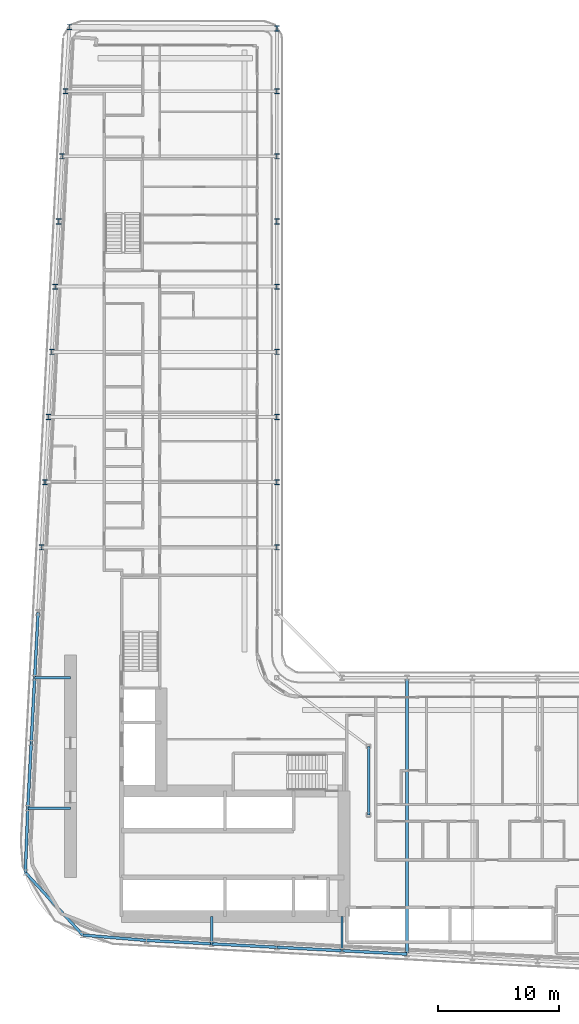
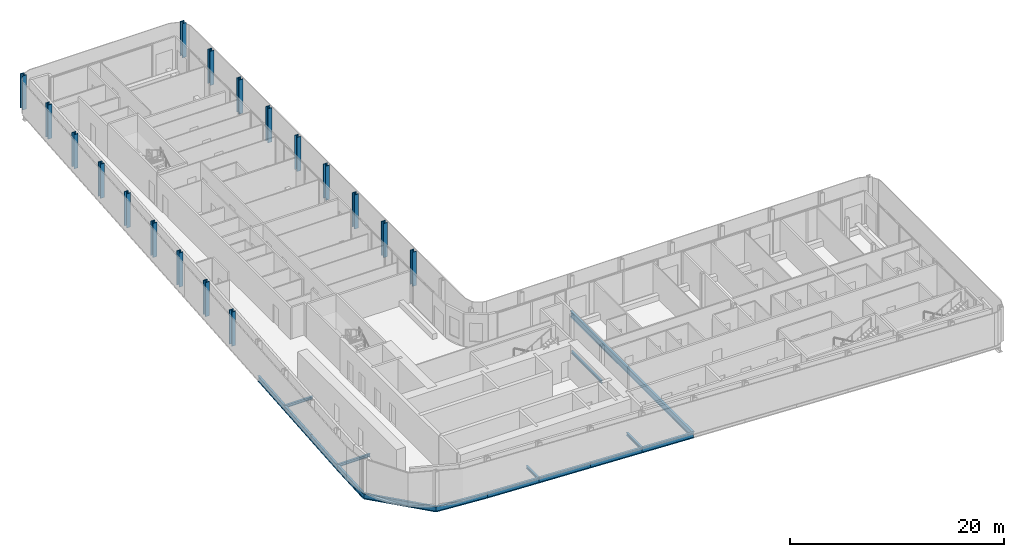
# One storey, part 3 of 25: 18 columns, 16 beams.
"""IFC4 building model written with IfcOpenShell, lengths in metres."""

from ifc_helpers import new_model, si_unit, direction, frame, origin, origin_2d, place, context, subcontext, project, spatial, i_section, extrude, material, material_profile, profile_set, type_object, element, save


model = new_model("IFC4")

# Units and contexts
model_context = context("Model", 3, precision=1e-05, world=origin(), true_north=direction((0.0, 1.0)))
body_context = subcontext(model_context, "Body", "Model", "MODEL_VIEW")
ifc_project = project(units=[si_unit("LENGTHUNIT", "METRE"), si_unit("AREAUNIT", "SQUARE_METRE"), si_unit("VOLUMEUNIT", "CUBIC_METRE"), si_unit("PLANEANGLEUNIT", "RADIAN"), si_unit("MASSUNIT", "GRAM", prefix="KILO")], contexts=[model_context])

# Site, building, storey
site_placement = place(None, origin())
site = spatial("IfcSite", under=ifc_project, at=site_placement, CompositionType="ELEMENT")
building_placement = place(site_placement, origin())
building = spatial("IfcBuilding", under=site, at=building_placement, Name="Kheshtan School and Residences Tower", CompositionType="ELEMENT")
storey_placement = place(building_placement, frame((0.0, 0.0, 34.39990234375)))
storey = spatial("IfcBuildingStorey", under=building, at=storey_placement, Name="L07", CompositionType="ELEMENT", Elevation=34.39990234375)

# Columns
ifc_material = material(Name="Steel ASTM A992 Grade 50", Category="steel")
ifc_material_profile_1 = material_profile(ifc_material, i_section(OverallWidth=0.424072265625, OverallDepth=0.47412109375, WebThickness=0.047607421875, FlangeThickness=0.0771484375, FilletRadius=0.01416015625, at=origin_2d()), Name="W360x634")
ifc_profile_set_1 = profile_set([ifc_material_profile_1], Name="Steel ASTM A992 Grade 50")
column_type = type_object("IfcColumnType", Name="Column C1 W360x634 ASTM A992 Grade 50", PredefinedType="COLUMN", material=ifc_profile_set_1)
for number, where, z_axis, x_axis, name in (
    (1, (28.10595703125, 56.39990234375, 0.0), (0.0, 0.0, 1.0), (1.0, 0.0, 0.0), "Column C080"),
    (2, (47.60009765625, 56.39990234375, 0.0), (0.0, 0.0, 1.0), (1.0, 0.0, 0.0), "Column C081"),
    (3, (28.389892578125, 61.800048828125, 0.0), (0.0, 0.0, 1.0), (1.0, 0.0, 0.0), "Column C082"),
    (4, (47.60009765625, 61.800048828125, 0.0), (0.0, 0.0, 1.0), (1.0, 0.0, 0.0), "Column C083"),
    (5, (28.674072265625, 67.199951171875, 0.0), (0.0, 0.0, 1.0), (1.0, 0.0, 0.0), "Column C084"),
    (6, (47.60009765625, 67.199951171875, 0.0), (0.0, 0.0, 1.0), (1.0, 0.0, 0.0), "Column C085"),
    (7, (28.9580078125, 72.60009765625, 0.0), (0.0, 0.0, 1.0), (1.0, 0.0, 0.0), "Column C086"),
    (8, (47.60009765625, 72.60009765625, 0.0), (0.0, 0.0, 1.0), (1.0, 0.0, 0.0), "Column C087"),
    (9, (29.242919921875, 78.0, 0.0), (0.0, 0.0, 1.0), (1.0, 0.0, 0.0), "Column C088"),
    (10, (47.60009765625, 78.0, 0.0), (0.0, 0.0, 1.0), (1.0, 0.0, 0.0), "Column C089"),
    (11, (29.527099609375, 83.39990234375, 0.0), (0.0, 0.0, 1.0), (1.0, 0.0, 0.0), "Column C090"),
    (12, (47.60009765625, 83.39990234375, 0.0), (0.0, 0.0, 1.0), (1.0, 0.0, 0.0), "Column C091"),
    (13, (29.81103515625, 88.800048828125, 0.0), (0.0, 0.0, 1.0), (1.0, 0.0, 0.0), "Column C098"),
    (14, (47.60009765625, 88.800048828125, 0.0), (0.0, 0.0, 1.0), (1.0, 0.0, 0.0), "Column C099"),
    (15, (30.094970703125, 94.199951171875, 0.0), (0.0, 0.0, 1.0), (1.0, 0.0, 0.0), "Column C106"),
    (16, (47.60009765625, 94.199951171875, 0.0), (0.0, 0.0, 1.0), (1.0, 0.0, 0.0), "Column C107"),
    (17, (47.614013671875, 99.39990234375, 0.0), (0.0, 0.0, 1.0), (1.0, 0.0, 0.0), "Column C109"),
    (18, (30.41796875, 99.508056640625, 0.0), (0.0, 0.0, 1.0), (1.0, 0.0, 0.0), "Column C119"),
):
    element("IfcColumn", number, at=place(storey_placement, frame(where, z_axis=z_axis, x_axis=x_axis)), inside=storey, type_object=column_type, Name=name, PredefinedType="COLUMN", context=body_context, shape_type="SweptSolid", body=[
        extrude(i_section(OverallWidth=0.424072265625, OverallDepth=0.47412109375, WebThickness=0.047607421875, FlangeThickness=0.0771484375, FilletRadius=0.01416015625, at=origin_2d()), origin(), (0.0, 0.0, 1.0), 3.900146484375),
    ])

# Beams
ifc_material_profile_2 = material_profile(ifc_material, i_section(OverallWidth=0.202880859375, OverallDepth=0.302978515625, WebThickness=0.007568359375, FlangeThickness=0.01318359375, FilletRadius=0.009033203125, at=origin_2d()), Name="W310x60")
ifc_profile_set_2 = profile_set([ifc_material_profile_2], Name="Steel ASTM A992 Grade 50")
beam_type_1 = type_object("IfcBeamType", Name="Beam FB1 W310x60 ASTM A992 Grade 50", PredefinedType="BEAM", material=ifc_profile_set_2)
beam_1_placement = place(storey_placement, frame((53.0, 22.97998046875, -0.301513671875), z_axis=(0.0, 1.0, 0.0), x_axis=(-1.0, 0.0, 0.0)))
element("IfcBeam", 19, at=beam_1_placement, inside=storey, type_object=beam_type_1, Name="Floor beam C019", PredefinedType="BEAM", context=body_context, shape_type="SweptSolid", body=[
    extrude(i_section(OverallWidth=0.202880859375, OverallDepth=0.302978515625, WebThickness=0.007568359375, FlangeThickness=0.01318359375, FilletRadius=0.009033203125, at=origin_2d()), origin(), (0.0, 0.0, 1.0), 2.820068359375),
])
beam_2_placement = place(storey_placement, frame((42.199951171875, 23.548095703125, -0.301513671875), z_axis=(0.0, 1.0, 0.0), x_axis=(-1.0, 0.0, 0.0)))
element("IfcBeam", 20, at=beam_2_placement, inside=storey, type_object=beam_type_1, Name="Floor beam C021", PredefinedType="BEAM", context=body_context, shape_type="SweptSolid", body=[
    extrude(i_section(OverallWidth=0.202880859375, OverallDepth=0.302978515625, WebThickness=0.007568359375, FlangeThickness=0.01318359375, FilletRadius=0.009033203125, at=origin_2d()), origin(), (0.0, 0.0, 1.0), 2.251953125),
])
beam_3_placement = place(storey_placement, frame((26.968994140625, 34.800048828125, -0.301513671875), z_axis=(1.0, 0.0, 0.0), x_axis=(0.0, 1.0, 0.0)))
element("IfcBeam", 21, at=beam_3_placement, inside=storey, type_object=beam_type_1, Name="Floor beam C052", PredefinedType="BEAM", context=body_context, shape_type="SweptSolid", body=[
    extrude(i_section(OverallWidth=0.202880859375, OverallDepth=0.302978515625, WebThickness=0.007568359375, FlangeThickness=0.01318359375, FilletRadius=0.009033203125, at=origin_2d()), origin(), (0.0, 0.0, 1.0), 3.531005859375),
])
beam_4_placement = place(storey_placement, frame((27.537109375, 45.60009765625, -0.301513671875), z_axis=(1.0, 0.0, 0.0), x_axis=(0.0, 1.0, 0.0)))
element("IfcBeam", 22, at=beam_4_placement, inside=storey, type_object=beam_type_1, Name="Floor beam C059", PredefinedType="BEAM", context=body_context, shape_type="SweptSolid", body=[
    extrude(i_section(OverallWidth=0.202880859375, OverallDepth=0.302978515625, WebThickness=0.007568359375, FlangeThickness=0.01318359375, FilletRadius=0.009033203125, at=origin_2d()), origin(), (0.0, 0.0, 1.0), 2.962890625),
])
beam_5_placement = place(storey_placement, frame((55.199951171875, 34.23193359375, -0.301513671875), z_axis=(0.0, 1.0, 0.0), x_axis=(-1.0, 0.0, 0.0)))
element("IfcBeam", 23, at=beam_5_placement, inside=storey, type_object=beam_type_1, Name="Floor beam IC", PredefinedType="BEAM", context=body_context, shape_type="SweptSolid", body=[
    extrude(i_section(OverallWidth=0.202880859375, OverallDepth=0.302978515625, WebThickness=0.007568359375, FlangeThickness=0.01318359375, FilletRadius=0.009033203125, at=origin_2d()), origin(), (0.0, 0.0, 1.0), 5.68408203125),
])
ifc_material_profile_3 = material_profile(ifc_material, i_section(OverallWidth=0.2529296875, OverallDepth=0.677978515625, WebThickness=0.01171875, FlangeThickness=0.016357421875, FilletRadius=0.0146484375, at=origin_2d()), Name="W690x125")
ifc_profile_set_3 = profile_set([ifc_material_profile_3], Name="Steel ASTM A992 Grade 50")
beam_type_2 = type_object("IfcBeamType", Name="Beam FB6 W690x125 ASTM A992 Grade 50", PredefinedType="BEAM", material=ifc_profile_set_3)
beam_6_placement = place(storey_placement, frame((58.39990234375, 45.60009765625, -0.489013671875), z_axis=(0.0, -1.0, 0.0), x_axis=(1.0, 0.0, 0.0)))
element("IfcBeam", 24, at=beam_6_placement, inside=storey, type_object=beam_type_2, Name="Floor beam C062", PredefinedType="BEAM", context=body_context, shape_type="SweptSolid", body=[
    extrude(i_section(OverallWidth=0.2529296875, OverallDepth=0.677978515625, WebThickness=0.01171875, FlangeThickness=0.016357421875, FilletRadius=0.0146484375, at=origin_2d()), origin(), (0.0, 0.0, 1.0), 22.905029296875),
])
ifc_material_profile_4 = material_profile(ifc_material, i_section(OverallWidth=0.22998046875, OverallDepth=0.616943359375, WebThickness=0.01318359375, FlangeThickness=0.022216796875, FilletRadius=0.0185546875, at=origin_2d()), Name="W610x140")
ifc_profile_set_4 = profile_set([ifc_material_profile_4], Name="Steel ASTM A992 Grade 50")
beam_type_3 = type_object("IfcBeamType", Name="Beam SP1 W610x140 ASTM A992 Grade 50", PredefinedType="BEAM", material=ifc_profile_set_4)
for number, where, z_axis, x_axis, name in (
    (25, (58.39990234375, 22.695068359375, -0.45849609375), (-0.998610961136, 0.052689166816, 0.0), (-0.052689166816, -0.998610961136, 0.0), "Spandrel beam C018-C019"),
    (26, (53.0, 22.97998046875, -0.45849609375), (-0.998620447272, 0.05250906864, 0.0), (-0.05250906864, -0.998620447272, 0.0), "Spandrel beam C019-C020"),
):
    element("IfcBeam", number, at=place(storey_placement, frame(where, z_axis=z_axis, x_axis=x_axis)), inside=storey, type_object=beam_type_3, Name=name, PredefinedType="BEAM", context=body_context, shape_type="SweptSolid", body=[
        extrude(i_section(OverallWidth=0.22998046875, OverallDepth=0.616943359375, WebThickness=0.01318359375, FlangeThickness=0.022216796875, FilletRadius=0.0185546875, at=origin_2d()), origin(), (0.0, 0.0, 1.0), 5.407470703125),
    ])
beam_7_placement = place(storey_placement, frame((47.60009765625, 23.263916015625, -0.45849609375), z_axis=(-0.998618203458, 0.052551724256, 0.0), x_axis=(-0.052551724256, -0.998618203458, 0.0)))
element("IfcBeam", 27, at=beam_7_placement, inside=storey, type_object=beam_type_3, Name="Spandrel beam C020-C021", PredefinedType="BEAM", context=body_context, shape_type="SweptSolid", body=[
    extrude(i_section(OverallWidth=0.22998046875, OverallDepth=0.616943359375, WebThickness=0.01318359375, FlangeThickness=0.022216796875, FilletRadius=0.0185546875, at=origin_2d()), origin(), (0.0, 0.0, 1.0), 5.40771484375),
])
beam_8_placement = place(storey_placement, frame((42.199951171875, 23.548095703125, -0.45849609375), z_axis=(-0.998620447272, 0.05250906864, 0.0), x_axis=(-0.05250906864, -0.998620447272, 0.0)))
element("IfcBeam", 28, at=beam_8_placement, inside=storey, type_object=beam_type_3, Name="Spandrel beam C021-C022", PredefinedType="BEAM", context=body_context, shape_type="SweptSolid", body=[
    extrude(i_section(OverallWidth=0.22998046875, OverallDepth=0.616943359375, WebThickness=0.01318359375, FlangeThickness=0.022216796875, FilletRadius=0.0185546875, at=origin_2d()), origin(), (0.0, 0.0, 1.0), 5.407470703125),
])
beam_9_placement = place(storey_placement, frame((36.800048828125, 23.83203125, -0.45849609375), z_axis=(-0.996498230975, 0.083613848512, 0.0), x_axis=(-0.083613848512, -0.996498230975, 0.0)))
element("IfcBeam", 29, at=beam_9_placement, inside=storey, type_object=beam_type_3, Name="Spandrel beam C022-C028", PredefinedType="BEAM", context=body_context, shape_type="SweptSolid", body=[
    extrude(i_section(OverallWidth=0.22998046875, OverallDepth=0.616943359375, WebThickness=0.01318359375, FlangeThickness=0.022216796875, FilletRadius=0.0185546875, at=origin_2d()), origin(), (0.0, 0.0, 1.0), 5.296630859375),
])
beam_10_placement = place(storey_placement, frame((31.52197265625, 24.27490234375, -0.45849609375), z_axis=(-0.675974218658, 0.736925271456, 0.0), x_axis=(-0.736925271456, -0.675974218658, 0.0)))
element("IfcBeam", 30, at=beam_10_placement, inside=storey, type_object=beam_type_3, Name="Spandrel beam C028-C041", PredefinedType="BEAM", context=body_context, shape_type="SweptSolid", body=[
    extrude(i_section(OverallWidth=0.22998046875, OverallDepth=0.616943359375, WebThickness=0.01318359375, FlangeThickness=0.022216796875, FilletRadius=0.0185546875, at=origin_2d()), origin(), (0.0, 0.0, 1.0), 7.041748046875),
])
beam_11_placement = place(storey_placement, frame((26.761962890625, 29.464111328125, -0.45849609375), z_axis=(0.038770243067, 0.999248151488, 0.0), x_axis=(-0.999248151488, 0.038770243067, 0.0)))
element("IfcBeam", 31, at=beam_11_placement, inside=storey, type_object=beam_type_3, Name="Spandrel beam C041-C052", PredefinedType="BEAM", context=body_context, shape_type="SweptSolid", body=[
    extrude(i_section(OverallWidth=0.22998046875, OverallDepth=0.616943359375, WebThickness=0.01318359375, FlangeThickness=0.022216796875, FilletRadius=0.0185546875, at=origin_2d()), origin(), (0.0, 0.0, 1.0), 5.33984375),
])
beam_12_placement = place(storey_placement, frame((26.968994140625, 34.800048828125, -0.45849609375), z_axis=(0.05250906864, 0.998620447272, 0.0), x_axis=(-0.998620447272, 0.05250906864, 0.0)))
element("IfcBeam", 32, at=beam_12_placement, inside=storey, type_object=beam_type_3, Name="Spandrel beam C052-C056", PredefinedType="BEAM", context=body_context, shape_type="SweptSolid", body=[
    extrude(i_section(OverallWidth=0.22998046875, OverallDepth=0.616943359375, WebThickness=0.01318359375, FlangeThickness=0.022216796875, FilletRadius=0.0185546875, at=origin_2d()), origin(), (0.0, 0.0, 1.0), 5.407470703125),
])
beam_13_placement = place(storey_placement, frame((27.2529296875, 40.199951171875, -0.45849609375), z_axis=(0.052551724256, 0.998618203458, 0.0), x_axis=(-0.998618203458, 0.052551724256, 0.0)))
element("IfcBeam", 33, at=beam_13_placement, inside=storey, type_object=beam_type_3, Name="Spandrel beam C056-C059", PredefinedType="BEAM", context=body_context, shape_type="SweptSolid", body=[
    extrude(i_section(OverallWidth=0.22998046875, OverallDepth=0.616943359375, WebThickness=0.01318359375, FlangeThickness=0.022216796875, FilletRadius=0.0185546875, at=origin_2d()), origin(), (0.0, 0.0, 1.0), 5.40771484375),
])
beam_14_placement = place(storey_placement, frame((27.537109375, 45.60009765625, -0.45849609375), z_axis=(0.052689166816, 0.998610961136, 0.0), x_axis=(-0.998610961136, 0.052689166816, 0.0)))
element("IfcBeam", 34, at=beam_14_placement, inside=storey, type_object=beam_type_3, Name="Spandrel beam C059-C078", PredefinedType="BEAM", context=body_context, shape_type="SweptSolid", body=[
    extrude(i_section(OverallWidth=0.22998046875, OverallDepth=0.616943359375, WebThickness=0.01318359375, FlangeThickness=0.022216796875, FilletRadius=0.0185546875, at=origin_2d()), origin(), (0.0, 0.0, 1.0), 5.407470703125),
])

save(model, "model.ifc")
